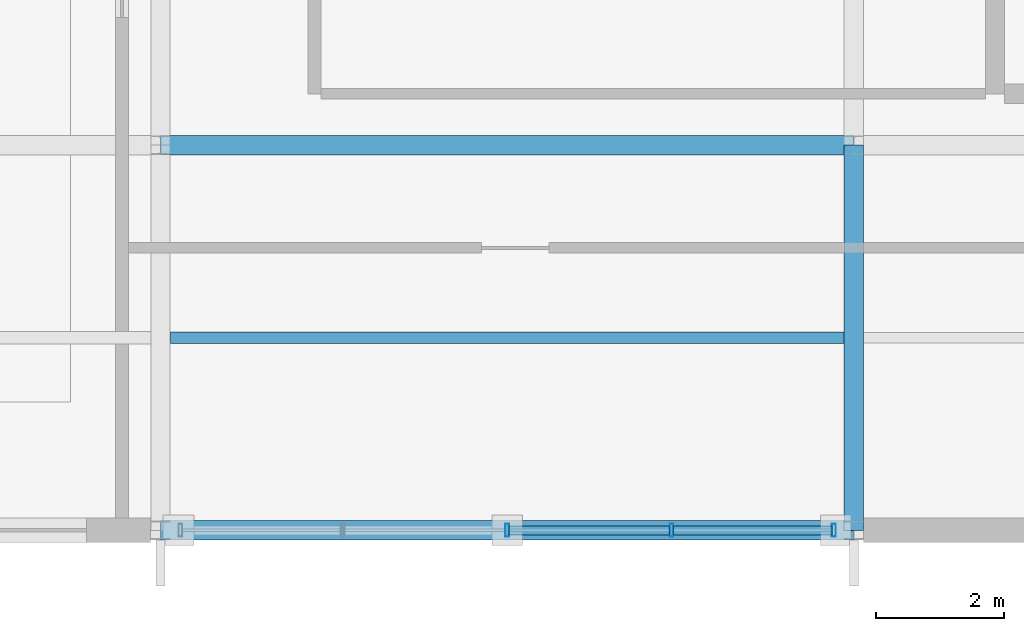
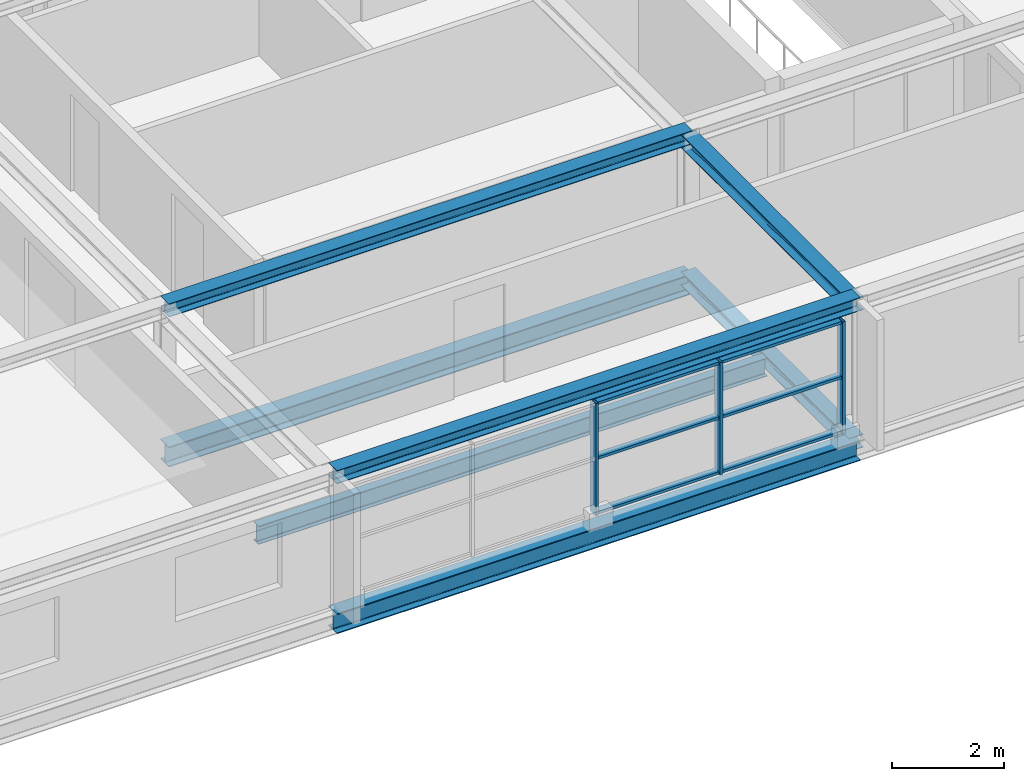
# One storey, part 6 of 14: 9 members, 7 beams, 1 element without a shape of its own.
"""IFC4 building model written with IfcOpenShell, lengths in metres."""

from ifc_helpers import new_model, si_unit, direction, frame, origin, origin_2d, place, context, subcontext, project, spatial, hollow_rectangle, i_section, extrude, material, material_profile, profile_set, type_object, element, aggregate, save


model = new_model("IFC4")

# Units and contexts
model_context = context("Model", 3, precision=1e-05, world=origin(), true_north=direction((0.0, 1.0)))
body_context = subcontext(model_context, "Body", "Model", "MODEL_VIEW")
ifc_project = project(units=[si_unit("LENGTHUNIT", "METRE"), si_unit("AREAUNIT", "SQUARE_METRE"), si_unit("VOLUMEUNIT", "CUBIC_METRE"), si_unit("PLANEANGLEUNIT", "RADIAN"), si_unit("MASSUNIT", "GRAM", prefix="KILO")], contexts=[model_context])

# Site, building, storey
site_placement = place(None, origin())
site = spatial("IfcSite", under=ifc_project, at=site_placement, CompositionType="ELEMENT")
building_placement = place(site_placement, origin())
building = spatial("IfcBuilding", under=site, at=building_placement, Name="Merenkruunu Market Hall", CompositionType="ELEMENT")
storey_placement = place(building_placement, frame((0.0, 0.0, 18.60009765625)))
storey = spatial("IfcBuildingStorey", under=building, at=storey_placement, Name="L04", CompositionType="ELEMENT", Elevation=18.60009765625)

# Curtain wall, members
ifc_material_1 = material(Name="Powder-coated aluminium", Category="aluminium")
curtain_wall_type = type_object("IfcCurtainWallType", Name="Glazed Curtain Wall CW08", PredefinedType="USERDEFINED", material=ifc_material_1)
curtain_wall_placement = place(storey_placement, origin())
curtain_wall = element("IfcCurtainWall", 1, at=curtain_wall_placement, inside=storey, type_object=curtain_wall_type, Name="CW-L04-CWM03-223", ObjectType="GLAZED_FACADE", PredefinedType="USERDEFINED")
ifc_material_profile_1 = material_profile(ifc_material_1, hollow_rectangle(XDim=0.06005859375, YDim=0.199951171875, WallThickness=0.0048828125, at=origin_2d()), Name="ALU 60x200x5")
ifc_profile_set_1 = profile_set([ifc_material_profile_1], Name="Powder-coated aluminium")
member_type_1 = type_object("IfcMemberType", Name="Curtain Wall Mullion CWM03", PredefinedType="MULLION", material=ifc_profile_set_1)
member_1_placement = place(storey_placement, frame((180.889892578125, 0.0, 0.0), z_axis=(0.0, 0.0, 1.0), x_axis=(-1.0, 0.0, 0.0)))
member_1 = element("IfcMember", 2, at=member_1_placement, type_object=member_type_1, Name="CW08 mullion 1", PredefinedType="MULLION", context=body_context, shape_type="SweptSolid", body=[
    extrude(hollow_rectangle(XDim=0.06005859375, YDim=0.199951171875, WallThickness=0.0048828125, at=origin_2d()), origin(), (0.0, 0.0, 1.0), 2.449951171875),
])
member_2_placement = place(storey_placement, frame((178.360107421875, 0.0, 0.0), z_axis=(0.0, 0.0, 1.0), x_axis=(-1.0, 0.0, 0.0)))
member_2 = element("IfcMember", 3, at=member_2_placement, type_object=member_type_1, Name="CW08 mullion 2", PredefinedType="MULLION", context=body_context, shape_type="SweptSolid", body=[
    extrude(hollow_rectangle(XDim=0.06005859375, YDim=0.199951171875, WallThickness=0.0048828125, at=origin_2d()), origin(), (0.0, 0.0, 1.0), 2.449951171875),
])
member_3_placement = place(storey_placement, frame((175.800048828125, 0.0, 0.0), z_axis=(0.0, 0.0, 1.0), x_axis=(-1.0, 0.0, 0.0)))
member_3 = element("IfcMember", 4, at=member_3_placement, type_object=member_type_1, Name="CW08 mullion 3", PredefinedType="MULLION", context=body_context, shape_type="SweptSolid", body=[
    extrude(hollow_rectangle(XDim=0.06005859375, YDim=0.199951171875, WallThickness=0.0048828125, at=origin_2d()), origin(), (0.0, 0.0, 1.0), 2.449951171875),
])
ifc_material_profile_2 = material_profile(ifc_material_1, hollow_rectangle(XDim=0.06005859375, YDim=0.139892578125, WallThickness=0.00390625, at=origin_2d()), Name="ALU 60x140x4")
ifc_profile_set_2 = profile_set([ifc_material_profile_2], Name="Powder-coated aluminium")
member_type_2 = type_object("IfcMemberType", Name="Curtain Wall Transom CWT02", PredefinedType="USERDEFINED", material=ifc_profile_set_2)
member_4_placement = place(storey_placement, frame((180.860107421875, 0.0, 0.02978515625), z_axis=(-1.0, 0.0, 0.0), x_axis=(0.0, 0.0, 1.0)))
member_4 = element("IfcMember", 5, at=member_4_placement, type_object=member_type_2, Name="CW08 transom 1.1", ObjectType="TRANSOM", PredefinedType="USERDEFINED", context=body_context, shape_type="SweptSolid", body=[
    extrude(hollow_rectangle(XDim=0.06005859375, YDim=0.139892578125, WallThickness=0.00390625, at=origin_2d()), origin(), (0.0, 0.0, 1.0), 2.47021484375),
])
member_5_placement = place(storey_placement, frame((180.860107421875, 0.0, 1.224853515625), z_axis=(-1.0, 0.0, 0.0), x_axis=(0.0, 0.0, 1.0)))
member_5 = element("IfcMember", 6, at=member_5_placement, type_object=member_type_2, Name="CW08 transom 1.2", ObjectType="TRANSOM", PredefinedType="USERDEFINED", context=body_context, shape_type="SweptSolid", body=[
    extrude(hollow_rectangle(XDim=0.06005859375, YDim=0.139892578125, WallThickness=0.00390625, at=origin_2d()), origin(), (0.0, 0.0, 1.0), 2.47021484375),
])
member_6_placement = place(storey_placement, frame((180.860107421875, 0.0, 2.419921875), z_axis=(-1.0, 0.0, 0.0), x_axis=(0.0, 0.0, 1.0)))
member_6 = element("IfcMember", 7, at=member_6_placement, type_object=member_type_2, Name="CW08 transom 1.3", ObjectType="TRANSOM", PredefinedType="USERDEFINED", context=body_context, shape_type="SweptSolid", body=[
    extrude(hollow_rectangle(XDim=0.06005859375, YDim=0.139892578125, WallThickness=0.00390625, at=origin_2d()), origin(), (0.0, 0.0, 1.0), 2.47021484375),
])
member_7_placement = place(storey_placement, frame((178.330078125, 0.0, 0.02978515625), z_axis=(-1.0, 0.0, 0.0), x_axis=(0.0, 0.0, 1.0)))
member_7 = element("IfcMember", 8, at=member_7_placement, type_object=member_type_2, Name="CW08 transom 2.1", ObjectType="TRANSOM", PredefinedType="USERDEFINED", context=body_context, shape_type="SweptSolid", body=[
    extrude(hollow_rectangle(XDim=0.06005859375, YDim=0.139892578125, WallThickness=0.00390625, at=origin_2d()), origin(), (0.0, 0.0, 1.0), 2.5),
])
member_8_placement = place(storey_placement, frame((178.330078125, 0.0, 1.224853515625), z_axis=(-1.0, 0.0, 0.0), x_axis=(0.0, 0.0, 1.0)))
member_8 = element("IfcMember", 9, at=member_8_placement, type_object=member_type_2, Name="CW08 transom 2.2", ObjectType="TRANSOM", PredefinedType="USERDEFINED", context=body_context, shape_type="SweptSolid", body=[
    extrude(hollow_rectangle(XDim=0.06005859375, YDim=0.139892578125, WallThickness=0.00390625, at=origin_2d()), origin(), (0.0, 0.0, 1.0), 2.5),
])
member_9_placement = place(storey_placement, frame((178.330078125, 0.0, 2.419921875), z_axis=(-1.0, 0.0, 0.0), x_axis=(0.0, 0.0, 1.0)))
member_9 = element("IfcMember", 10, at=member_9_placement, type_object=member_type_2, Name="CW08 transom 2.3", ObjectType="TRANSOM", PredefinedType="USERDEFINED", context=body_context, shape_type="SweptSolid", body=[
    extrude(hollow_rectangle(XDim=0.06005859375, YDim=0.139892578125, WallThickness=0.00390625, at=origin_2d()), origin(), (0.0, 0.0, 1.0), 2.5),
])
aggregate(curtain_wall, [member_1, member_2, member_3, member_4, member_5, member_6, member_7, member_8, member_9])

# Beams
ifc_material_2 = material(Name="Steel S355J2", Category="steel")
ifc_material_profile_3 = material_profile(ifc_material_2, i_section(OverallWidth=0.300048828125, OverallDepth=0.43994140625, WebThickness=0.011474609375, FlangeThickness=0.02099609375, FilletRadius=0.027099609375, at=origin_2d()), Name="HEA 450")
ifc_profile_set_3 = profile_set([ifc_material_profile_3], Name="Steel S355J2")
beam_type_1 = type_object("IfcBeamType", Name="Primary Floor Girder B07", PredefinedType="BEAM", material=ifc_profile_set_3)
for number, where, z_axis, x_axis, name in (
    (11, (170.39990234375, 0.0, -0.440185546875), (1.0, 0.0, 0.0), (0.0, 1.0, 0.0), "BM-L04-B07-0916"),
    (12, (170.39990234375, 6.0, -0.440185546875), (1.0, 0.0, 0.0), (0.0, 1.0, 0.0), "BM-L04-B07-0919"),
):
    element("IfcBeam", number, at=place(storey_placement, frame(where, z_axis=z_axis, x_axis=x_axis)), inside=storey, type_object=beam_type_1, Name=name, PredefinedType="BEAM", context=body_context, shape_type="SweptSolid", body=[
        extrude(i_section(OverallWidth=0.300048828125, OverallDepth=0.43994140625, WebThickness=0.011474609375, FlangeThickness=0.02099609375, FilletRadius=0.027099609375, at=origin_2d()), origin(), (0.0, 0.0, 1.0), 10.800048828125),
    ])
ifc_material_profile_4 = material_profile(ifc_material_2, i_section(OverallWidth=0.300048828125, OverallDepth=0.2900390625, WebThickness=0.008544921875, FlangeThickness=0.013916015625, FilletRadius=0.027099609375, at=origin_2d()), Name="HEA 300")
ifc_profile_set_4 = profile_set([ifc_material_profile_4], Name="Steel S355J2")
beam_type_2 = type_object("IfcBeamType", Name="Primary Floor Girder B09", PredefinedType="BEAM", material=ifc_profile_set_4)
beam_1_placement = place(storey_placement, frame((181.199951171875, 0.0, -0.364990234375), z_axis=(0.0, 1.0, 0.0), x_axis=(-1.0, 0.0, 0.0)))
element("IfcBeam", 13, at=beam_1_placement, inside=storey, type_object=beam_type_2, Name="BM-L04-B09-0938", PredefinedType="BEAM", context=body_context, shape_type="SweptSolid", body=[
    extrude(i_section(OverallWidth=0.300048828125, OverallDepth=0.2900390625, WebThickness=0.008544921875, FlangeThickness=0.013916015625, FilletRadius=0.027099609375, at=origin_2d()), origin(), (0.0, 0.0, 1.0), 6.0),
])
for number, where, z_axis, x_axis, name in (
    (14, (170.39990234375, 0.0, 2.7548828125), (1.0, 0.0, 0.0), (0.0, 1.0, 0.0), "BM-L04-B09-1310"),
    (15, (170.39990234375, 6.0, 2.7548828125), (1.0, 0.0, 0.0), (0.0, 1.0, 0.0), "BM-L04-B09-1313"),
):
    element("IfcBeam", number, at=place(storey_placement, frame(where, z_axis=z_axis, x_axis=x_axis)), inside=storey, type_object=beam_type_2, Name=name, PredefinedType="BEAM", context=body_context, shape_type="SweptSolid", body=[
        extrude(i_section(OverallWidth=0.300048828125, OverallDepth=0.2900390625, WebThickness=0.008544921875, FlangeThickness=0.013916015625, FilletRadius=0.027099609375, at=origin_2d()), origin(), (0.0, 0.0, 1.0), 10.800048828125),
    ])
beam_2_placement = place(storey_placement, frame((181.199951171875, 0.0, 2.635009765625), z_axis=(0.0, 1.0, 0.0), x_axis=(-1.0, 0.0, 0.0)))
element("IfcBeam", 16, at=beam_2_placement, inside=storey, type_object=beam_type_2, Name="BM-L04-B09-1327", PredefinedType="BEAM", context=body_context, shape_type="SweptSolid", body=[
    extrude(i_section(OverallWidth=0.300048828125, OverallDepth=0.2900390625, WebThickness=0.008544921875, FlangeThickness=0.013916015625, FilletRadius=0.027099609375, at=origin_2d()), origin(), (0.0, 0.0, 1.0), 6.0),
])
ifc_material_profile_5 = material_profile(ifc_material_2, i_section(OverallWidth=0.179931640625, OverallDepth=0.39990234375, WebThickness=0.008544921875, FlangeThickness=0.013427734375, FilletRadius=0.02099609375, at=origin_2d()), Name="IPE 400")
ifc_profile_set_5 = profile_set([ifc_material_profile_5], Name="Steel S355J2")
beam_type_3 = type_object("IfcBeamType", Name="Secondary Floor Joist J02", PredefinedType="JOIST", material=ifc_profile_set_5)
beam_3_placement = place(storey_placement, frame((170.552978515625, 3.0, -0.420166015625), z_axis=(1.0, 0.0, 0.0), x_axis=(0.0, 1.0, 0.0)))
element("IfcBeam", 17, at=beam_3_placement, inside=storey, type_object=beam_type_3, Name="BM-L04-J02-0953", PredefinedType="JOIST", context=body_context, shape_type="SweptSolid", body=[
    extrude(i_section(OverallWidth=0.179931640625, OverallDepth=0.39990234375, WebThickness=0.008544921875, FlangeThickness=0.013427734375, FilletRadius=0.02099609375, at=origin_2d()), origin(), (0.0, 0.0, 1.0), 10.494140625),
])

save(model, "model.ifc")
